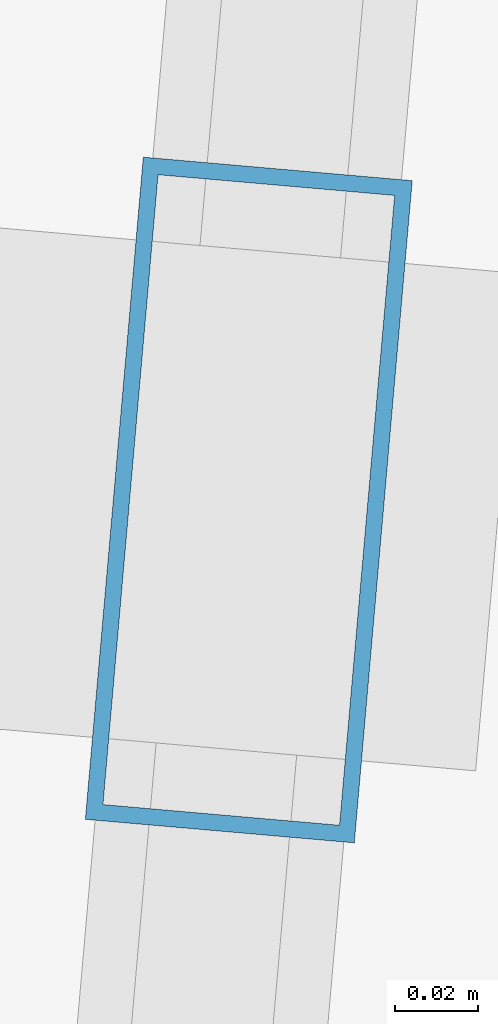
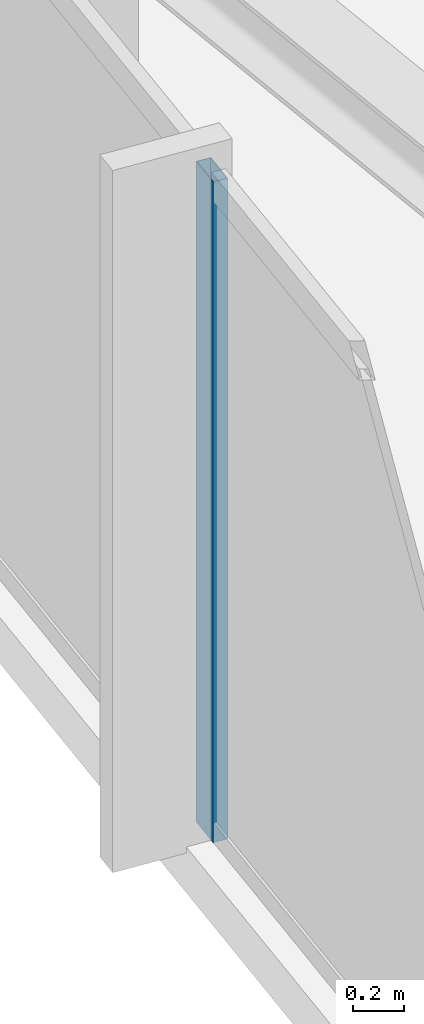
# One storey, part 5 of 32: 1 member, 1 element without a shape of its own.
"""IFC4 building model written with IfcOpenShell, lengths in metres."""

import ifcopenshell
import ifcopenshell.guid

model = None  # the IFC model being written
_history = None  # IfcOwnerHistory: only IFC2X3 demands one
_inside = {}  # id of a spatial element -> (the spatial element, [elements in it])
_under = {}  # id of a project, library or spatial element -> (it, [spatial elements below it])
_declared = {}  # id of a project -> (the project, [libraries it declares])
_typed = {}  # id of a type object -> (the type object, [elements of that type])
_made_of = {}  # id of a material, layer set ... -> (it, [elements and type objects made of it])


def new_model(schema):
    """Start an empty IFC model of exactly this schema.

    Asked for "IFC4X3", IfcOpenShell would pick the latest addendum, in which some entities
    have other attributes; the version numbers below select the first issue.
    IFC2X3 requires an IfcOwnerHistory on every rooted entity: one is made here for all.
    """
    global model, _history
    if schema == "IFC4X3":
        model = ifcopenshell.file(schema_version=(4, 3, 0, 0))
    else:
        model = ifcopenshell.file(schema=schema)
    _inside.clear()
    _under.clear()
    _declared.clear()
    _typed.clear()
    _made_of.clear()
    _history = None
    if model.schema == "IFC2X3":
        org = make("IfcOrganization", Name="unknown")
        user = make(
            "IfcPersonAndOrganization",
            ThePerson=make("IfcPerson", FamilyName="unknown"),
            TheOrganization=org,
        )
        app = make(
            "IfcApplication",
            ApplicationDeveloper=org,
            Version="unknown",
            ApplicationFullName="unknown",
            ApplicationIdentifier="unknown",
        )
        _history = make(
            "IfcOwnerHistory",
            OwningUser=user,
            OwningApplication=app,
            ChangeAction="ADDED",
            CreationDate=0,
        )
    return model


def make(cls, **values):
    """One entity of the class cls with the attributes given. An attribute that is None is left unset."""
    return model.create_entity(
        cls, **{name: value for name, value in values.items() if value is not None}
    )


def rooted(cls, **values):
    """An entity with a GlobalId (a new one), such as an element, a storey or a relation."""
    return make(cls, GlobalId=ifcopenshell.guid.new(), OwnerHistory=_history, **values)


def si_unit(unit_type, name, prefix=None):
    """IfcSIUnit, for example si_unit("LENGTHUNIT", "METRE", prefix="MILLI")."""
    return make("IfcSIUnit", UnitType=unit_type, Prefix=prefix, Name=name)


def assignment(units):
    """IfcUnitAssignment: the units of a project."""
    return None if units is None else make("IfcUnitAssignment", Units=units)


def point(xyz):
    """IfcCartesianPoint."""
    return None if xyz is None else make("IfcCartesianPoint", Coordinates=xyz)


def direction(xyz):
    """IfcDirection."""
    return None if xyz is None else make("IfcDirection", DirectionRatios=xyz)


def frame(location, z_axis=None, x_axis=None):
    """IfcAxis2Placement3D, a coordinate frame: its origin and axes. An axis left out is left unset."""
    return make(
        "IfcAxis2Placement3D",
        Location=point(location),
        Axis=direction(z_axis),
        RefDirection=direction(x_axis),
    )


def frame_2d(location, x_axis=None):
    """IfcAxis2Placement2D, a coordinate frame in the plane: its origin and x axis."""
    return make(
        "IfcAxis2Placement2D", Location=point(location), RefDirection=direction(x_axis)
    )


def origin():
    """The frame at (0, 0, 0) with its axes left unset."""
    return frame((0.0, 0.0, 0.0))


def origin_2d():
    """The frame at (0, 0) in the plane with its x axis left unset."""
    return frame_2d((0.0, 0.0))


def place(relative_to, where):
    """IfcLocalPlacement: puts the frame where relative to a parent placement (None: the world)."""
    return make(
        "IfcLocalPlacement", PlacementRelTo=relative_to, RelativePlacement=where
    )


def context(
    kind, dimensions, precision=None, world=None, true_north=None, identifier=None
):
    """IfcGeometricRepresentationContext, for example the 3D "Model" context."""
    return make(
        "IfcGeometricRepresentationContext",
        ContextIdentifier=identifier,
        ContextType=kind,
        CoordinateSpaceDimension=dimensions,
        Precision=precision,
        WorldCoordinateSystem=world,
        TrueNorth=true_north,
    )


def subcontext(parent, identifier, kind, view, scale=None):
    """IfcGeometricRepresentationSubContext, for example "Body" below "Model"."""
    return make(
        "IfcGeometricRepresentationSubContext",
        ContextIdentifier=identifier,
        ContextType=kind,
        ParentContext=parent,
        TargetScale=scale,
        TargetView=view,
    )


def project(units=None, contexts=None):
    """IfcProject with its units and contexts."""
    return rooted(
        "IfcProject",
        Name="project",
        RepresentationContexts=contexts,
        UnitsInContext=assignment(units),
    )


def spatial(cls, under=None, at=None, **own):
    """A site, building, storey or space (cls), placed at a placement, below another one or the project."""
    s = rooted(cls, ObjectPlacement=at, **own)
    if under is not None:
        _under.setdefault(under.id(), (under, []))[1].append(s)
    return s


def profile(cls, at=None, kind="AREA", **sizes):
    """A parametric profile (cls). Its sizes go by their IFC names, for example OverallWidth=200.0."""
    return make(cls, ProfileType=kind, Position=at, **sizes)


def hollow_rectangle(**sizes):
    """IfcRectangleHollowProfileDef."""
    return profile("IfcRectangleHollowProfileDef", **sizes)


def extrude(swept, where, along, depth):
    """IfcExtrudedAreaSolid: the profile swept, set in the frame where, extruded along a direction by depth."""
    return make(
        "IfcExtrudedAreaSolid",
        SweptArea=swept,
        Position=where,
        ExtrudedDirection=direction(along),
        Depth=depth,
    )


def shape(context_of_items, identifier, shape_type, items):
    """IfcShapeRepresentation: the items that make up one representation, for example the "Body"."""
    return make(
        "IfcShapeRepresentation",
        ContextOfItems=context_of_items,
        RepresentationIdentifier=identifier,
        RepresentationType=shape_type,
        Items=items,
    )


def material(Name=None, Category=None):
    """IfcMaterial."""
    return make("IfcMaterial", Name=Name, Category=Category)


def material_profile(
    of_material, cross_section, Name=None, Category=None, Priority=None
):
    """IfcMaterialProfile: a cross section and its material."""
    return make(
        "IfcMaterialProfile",
        Name=Name,
        Material=of_material,
        Profile=cross_section,
        Priority=Priority,
        Category=Category,
    )


def profile_set(profiles, Name=None, composite=None):
    """IfcMaterialProfileSet."""
    return make(
        "IfcMaterialProfileSet",
        Name=Name,
        MaterialProfiles=profiles,
        CompositeProfile=composite,
    )


def made_of(thing, what):
    """Note that an element or type object is made of a material, layer set ...; save() writes the relation."""
    if what is not None:
        _made_of.setdefault(what.id(), (what, []))[1].append(thing)
    return thing


def type_object(cls, material=None, **own):
    """A type object (cls), such as IfcWallType, which elements share."""
    return made_of(rooted(cls, **own), material)


def element(
    cls,
    number,
    at=None,
    inside=None,
    cuts=None,
    type_object=None,
    material=None,
    context=None,
    identifier="Body",
    shape_type=None,
    held_by="IfcProductDefinitionShape",
    body=None,
    shapes=None,
    **own,
):
    """One element of the class cls, such as IfcWall. Its Tag is "e" and its number.

    at: its placement. inside: the storey or other place that contains it. cuts: it is an
    opening in that element (IfcRelVoidsElement). A single representation is given by context,
    identifier, shape_type and body (its items); several are given by shapes. held_by: the class
    of the entity that holds the representations. save() writes the other relations.
    """
    e = rooted(cls, Tag="e%d" % number, ObjectPlacement=at, **own)
    if body is not None:
        shapes = [shape(context, identifier, shape_type, body)]
    if shapes is not None:
        e.Representation = make(held_by, Representations=shapes)
    if inside is not None:
        _inside.setdefault(inside.id(), (inside, []))[1].append(e)
    if cuts is not None:
        rooted(
            "IfcRelVoidsElement", RelatingBuildingElement=cuts, RelatedOpeningElement=e
        )
    if type_object is not None:
        _typed.setdefault(type_object.id(), (type_object, []))[1].append(e)
    return made_of(e, material)


def aggregate(whole, parts):
    """IfcRelAggregates: a whole, such as a stair, and the parts it consists of."""
    return rooted("IfcRelAggregates", RelatingObject=whole, RelatedObjects=parts)


def save(model, path):
    """Write the relations noted so far, then the file.

    IfcRelAggregates (storeys below a building ...), IfcRelContainedInSpatialStructure (elements
    in a storey), IfcRelDefinesByType, IfcRelAssociatesMaterial and IfcRelDeclares: one each for
    every whole, place, type object, material and project.
    """
    for whole, parts in _under.values():
        aggregate(whole, parts)
    for where, things in _inside.values():
        rooted(
            "IfcRelContainedInSpatialStructure",
            RelatedElements=things,
            RelatingStructure=where,
        )
    for kind, things in _typed.values():
        rooted("IfcRelDefinesByType", RelatedObjects=things, RelatingType=kind)
    for what, things in _made_of.values():
        rooted("IfcRelAssociatesMaterial", RelatedObjects=things, RelatingMaterial=what)
    for by, libraries in _declared.values():
        rooted("IfcRelDeclares", RelatingContext=by, RelatedDefinitions=libraries)
    model.write(path)


model = new_model("IFC4")

# Units and contexts
model_context = context("Model", 3, precision=1e-05, world=origin(), true_north=direction((0.0, 1.0)))
body_context = subcontext(model_context, "Body", "Model", "MODEL_VIEW")
ifc_project = project(units=[si_unit("LENGTHUNIT", "METRE"), si_unit("AREAUNIT", "SQUARE_METRE"), si_unit("VOLUMEUNIT", "CUBIC_METRE"), si_unit("PLANEANGLEUNIT", "RADIAN"), si_unit("MASSUNIT", "GRAM", prefix="KILO")], contexts=[model_context])

# Site, building, storey
site_placement = place(None, origin())
site = spatial("IfcSite", under=ifc_project, at=site_placement, CompositionType="ELEMENT")
building_placement = place(site_placement, origin())
building = spatial("IfcBuilding", under=site, at=building_placement, Name="Yelkora Congress Tower", CompositionType="ELEMENT")
storey_placement = place(building_placement, frame((0.0, 0.0, 279.5)))
storey = spatial("IfcBuildingStorey", under=building, at=storey_placement, Name="L78", CompositionType="ELEMENT", Elevation=279.5)

# Curtain wall, member
ifc_material_1 = material(Name="Anodised aluminium and insulated glass", Category="aluminium")
curtain_wall_type = type_object("IfcCurtainWallType", Name="CW-SYS-B5", PredefinedType="NOTDEFINED", material=ifc_material_1)
curtain_wall_placement = place(storey_placement, origin())
curtain_wall = element("IfcCurtainWall", 1, at=curtain_wall_placement, inside=storey, type_object=curtain_wall_type, Name="L78 Unitised Curtain Wall 5", PredefinedType="NOTDEFINED")
ifc_material_2 = material(Name="Anodised aluminium 6063-T6", Category="aluminium")
ifc_material_profile = material_profile(ifc_material_2, hollow_rectangle(XDim=0.06494140625, YDim=0.159912109375, WallThickness=0.00390625, at=origin_2d()), Name="ALU 65x160x4")
ifc_profile_set = profile_set([ifc_material_profile], Name="Anodised aluminium 6063-T6")
member_type = type_object("IfcMemberType", Name="MEM-ML-B5", PredefinedType="MULLION", material=ifc_profile_set)
member_placement = place(storey_placement, frame((6.313720703125, 28.49658203125, 0.0), z_axis=(0.0, 0.0, 1.0), x_axis=(-0.996194785929, 0.08715473876, 0.0)))
member = element("IfcMember", 2, at=member_placement, type_object=member_type, Name="CW-B5 mullion 2", PredefinedType="MULLION", context=body_context, shape_type="SweptSolid", body=[
    extrude(hollow_rectangle(XDim=0.06494140625, YDim=0.159912109375, WallThickness=0.00390625, at=origin_2d()), origin(), (0.0, 0.0, 1.0), 3.179931640625),
])
aggregate(curtain_wall, [member])

save(model, "model.ifc")
